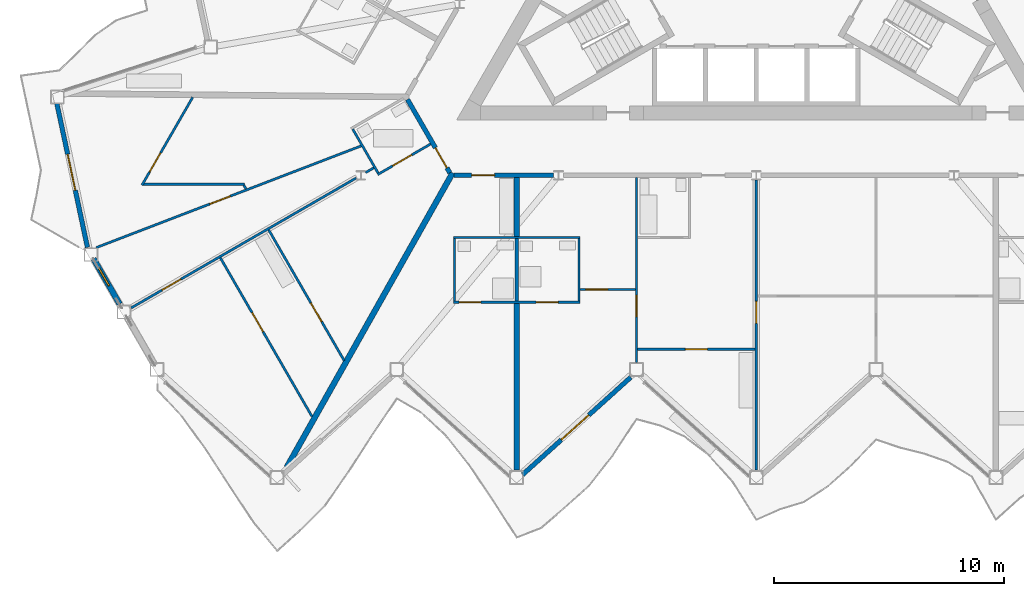
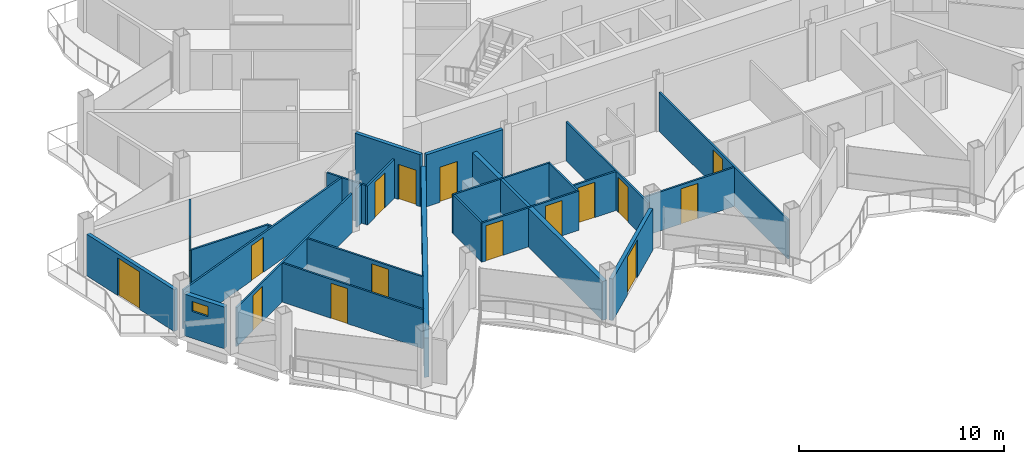
# One storey, part 13 of 27: 27 walls, 16 doors, 1 window, 17 openings.
"""IFC4 building model written with IfcOpenShell, lengths in metres."""

from ifc_helpers import new_model, si_unit, direction, frame, frame_2d, origin, place, context, subcontext, project, spatial, rectangle, extrude, material, layer, layer_set, type_object, element, fill, save


model = new_model("IFC4")

# Units and contexts
model_context = context("Model", 3, precision=1e-05, world=origin(), true_north=direction((0.0, 1.0)))
body_context = subcontext(model_context, "Body", "Model", "MODEL_VIEW")
ifc_project = project(units=[si_unit("LENGTHUNIT", "METRE"), si_unit("AREAUNIT", "SQUARE_METRE"), si_unit("VOLUMEUNIT", "CUBIC_METRE"), si_unit("PLANEANGLEUNIT", "RADIAN"), si_unit("MASSUNIT", "GRAM", prefix="KILO")], contexts=[model_context])

# Site, building, storey
site_placement = place(None, origin())
site = spatial("IfcSite", under=ifc_project, at=site_placement, CompositionType="ELEMENT")
building_placement = place(site_placement, origin())
building = spatial("IfcBuilding", under=site, at=building_placement, Name="Cormorant Prow Tower", CompositionType="ELEMENT")
storey_placement = place(building_placement, frame((0.0, 0.0, 332.39990234375)))
storey = spatial("IfcBuildingStorey", under=building, at=storey_placement, Name="L74", CompositionType="ELEMENT", Elevation=332.39990234375)

# Wall, opening, door
ifc_material_1 = material(Name="Gypsum board corridor wall")
ifc_layer_1 = layer(ifc_material_1, 0.199951171875)
ifc_layer_set_1 = layer_set([ifc_layer_1], Name="Gypsum board corridor wall")
wall_type_1 = type_object("IfcWallType", Name="Corridor wall 200", PredefinedType="PARTITIONING", material=ifc_layer_set_1)
wall_1_placement = place(storey_placement, frame((-13.10595703125, -9.905517578125, 0.0), z_axis=(0.0, 0.0, 1.0), x_axis=(1.0, 0.0, 0.0)))
wall_1 = element("IfcWall", 1, at=wall_1_placement, inside=storey, type_object=wall_type_1, Name="Corridor wall", PredefinedType="PARTITIONING", context=body_context, shape_type="SweptSolid", body=[
    extrude(rectangle(XDim=4.31982421875, YDim=0.199951171875, at=frame_2d((2.159912109375, 0.0))), origin(), (0.0, 0.0, 1.0), 3.10009765625),
])
opening_1_placement = place(wall_1_placement, frame((0.75341796875, 0.0, 0.0)))
opening_1 = element("IfcOpeningElement", 2, at=opening_1_placement, cuts=wall_1, Name="Opening L74-F01", PredefinedType="OPENING", context=body_context, shape_type="SweptSolid", body=[
    extrude(rectangle(XDim=1.0, YDim=2.10009765625, at=frame_2d((0.5, 1.050048828125))), frame((0.0, 0.10986328125, 0.0), z_axis=(0.0, -1.0, 0.0), x_axis=(1.0, 0.0, 0.0)), (0.0, 0.0, 1.0), 0.219970703125),
])
ifc_material_2 = material(Name="Timber door leaf", Category="wood")
door_type_1 = type_object("IfcDoorType", Name="Flat or room entrance door 1000x2100", OperationType="NOTDEFINED", PredefinedType="DOOR", material=ifc_material_2)
door_1_placement = place(opening_1_placement, origin())
door_1 = element("IfcDoor", 3, at=door_1_placement, inside=storey, type_object=door_type_1, Name="Studio living, kitchen and sleeping room door", OperationType="SINGLE_SWING_LEFT", OverallHeight=2.10009765625, OverallWidth=1.0, PredefinedType="DOOR", context=body_context, shape_type="SweptSolid", body=[
    extrude(rectangle(XDim=1.0, YDim=2.10009765625, at=frame_2d((0.5, 1.050048828125))), frame((0.0, 0.02490234375, 0.0), z_axis=(0.0, -1.0, 0.0), x_axis=(1.0, 0.0, 0.0)), (0.0, 0.0, 1.0), 0.050048828125),
])
fill(opening_1, door_1)

wall_2_placement = place(storey_placement, frame((-15.13134765625, -6.61376953125, 0.0), z_axis=(0.0, 0.0, 1.0), x_axis=(0.499967746641, -0.866044024469, 0.0)))
wall_2 = element("IfcWall", 4, at=wall_2_placement, inside=storey, type_object=wall_type_1, Name="Corridor wall", PredefinedType="PARTITIONING", context=body_context, shape_type="SweptSolid", body=[
    extrude(rectangle(XDim=3.676025390625, YDim=0.199951171875, at=frame_2d((1.837890625, 0.0))), origin(), (0.0, 0.0, 1.0), 3.10009765625),
])
opening_2_placement = place(wall_2_placement, frame((2.426025390625, 0.0, 0.0)))
opening_2 = element("IfcOpeningElement", 5, at=opening_2_placement, cuts=wall_2, Name="Opening L74-F58", PredefinedType="OPENING", context=body_context, shape_type="SweptSolid", body=[
    extrude(rectangle(XDim=1.0, YDim=2.10009765625, at=frame_2d((0.5, 1.050048828125))), frame((0.0, 0.10986328125, 0.0), z_axis=(0.0, -1.0, 0.0), x_axis=(1.0, 0.0, 0.0)), (0.0, 0.0, 1.0), 0.219970703125),
])
door_2_placement = place(opening_2_placement, origin())
door_2 = element("IfcDoor", 6, at=door_2_placement, inside=storey, type_object=door_type_1, Name="Living room door", OperationType="SINGLE_SWING_RIGHT", OverallHeight=2.10009765625, OverallWidth=1.0, PredefinedType="DOOR", context=body_context, shape_type="SweptSolid", body=[
    extrude(rectangle(XDim=1.0, YDim=2.10009765625, at=frame_2d((0.5, 1.050048828125))), frame((0.0, 0.02490234375, 0.0), z_axis=(0.0, -1.0, 0.0), x_axis=(1.0, 0.0, 0.0)), (0.0, 0.0, 1.0), 0.050048828125),
])
fill(opening_2, door_2)

ifc_material_3 = material(Name="Gypsum board partition")
ifc_layer_2 = layer(ifc_material_3, 0.10009765625)
ifc_layer_set_2 = layer_set([ifc_layer_2], Name="Gypsum board partition")
wall_type_2 = type_object("IfcWallType", Name="Internal partition 100", PredefinedType="PARTITIONING", material=ifc_layer_set_2)
wall_3_placement = place(storey_placement, frame((0.0, -22.697998046875, 0.0), z_axis=(0.0, 0.0, 1.0), x_axis=(0.0, 1.0, 0.0)))
wall_3 = element("IfcWall", 7, at=wall_3_placement, inside=storey, type_object=wall_type_2, Name="Internal partition", PredefinedType="PARTITIONING", context=body_context, shape_type="SweptSolid", body=[
    extrude(rectangle(XDim=12.584716796875, YDim=0.10009765625, at=frame_2d((6.29248046875, 0.0))), origin(), (0.0, 0.0, 1.0), 2.330078125),
])
opening_3_placement = place(wall_3_placement, frame((6.369140625, 0.0, 0.0)))
opening_3 = element("IfcOpeningElement", 8, at=opening_3_placement, cuts=wall_3, Name="Opening L74-F08", PredefinedType="OPENING", context=body_context, shape_type="SweptSolid", body=[
    extrude(rectangle(XDim=0.949951171875, YDim=2.10009765625, at=frame_2d((0.47509765625, 1.050048828125))), frame((0.0, 0.06005859375, 0.0), z_axis=(0.0, -1.0, 0.0), x_axis=(1.0, 0.0, 0.0)), (0.0, 0.0, 1.0), 0.1201171875),
])
ifc_material_4 = material(Name="Timber door leaf", Category="wood")
door_type_2 = type_object("IfcDoorType", Name="Bathroom door 950x2100", OperationType="NOTDEFINED", PredefinedType="DOOR", material=ifc_material_4)
door_3_placement = place(opening_3_placement, origin())
door_3 = element("IfcDoor", 9, at=door_3_placement, inside=storey, type_object=door_type_2, Name="Living room door", OperationType="SINGLE_SWING_RIGHT", OverallHeight=2.10009765625, OverallWidth=0.949951171875, PredefinedType="DOOR", context=body_context, shape_type="SweptSolid", body=[
    extrude(rectangle(XDim=0.949951171875, YDim=2.10009765625, at=frame_2d((0.47509765625, 1.050048828125))), frame((0.0, 0.02490234375, 0.0), z_axis=(0.0, -1.0, 0.0), x_axis=(1.0, 0.0, 0.0)), (0.0, 0.0, 1.0), 0.050048828125),
])
fill(opening_3, door_3)

wall_4_placement = place(storey_placement, frame((-28.630615234375, -13.039306640625, 0.0), z_axis=(0.0, 0.0, 1.0), x_axis=(0.933581130309, 0.358366116048, 0.0)))
wall_4 = element("IfcWall", 10, at=wall_4_placement, inside=storey, type_object=wall_type_2, Name="Internal partition", PredefinedType="PARTITIONING", context=body_context, shape_type="SweptSolid", body=[
    extrude(rectangle(XDim=12.3056640625, YDim=0.10009765625, at=frame_2d((6.15283203125, 0.0))), origin(), (0.0, 0.0, 1.0), 2.330078125),
])
opening_4_placement = place(wall_4_placement, frame((5.275634765625, 0.0, 0.0)))
opening_4 = element("IfcOpeningElement", 11, at=opening_4_placement, cuts=wall_4, Name="Opening L74-F63", PredefinedType="OPENING", context=body_context, shape_type="SweptSolid", body=[
    extrude(rectangle(XDim=0.949951171875, YDim=2.10009765625, at=frame_2d((0.47509765625, 1.050048828125))), frame((0.0, 0.06005859375, 0.0), z_axis=(0.0, -1.0, 0.0), x_axis=(1.0, 0.0, 0.0)), (0.0, 0.0, 1.0), 0.1201171875),
])
door_4_placement = place(opening_4_placement, origin())
door_4 = element("IfcDoor", 12, at=door_4_placement, inside=storey, type_object=door_type_2, Name="Bedroom door", OperationType="SINGLE_SWING_RIGHT", OverallHeight=2.10009765625, OverallWidth=0.949951171875, PredefinedType="DOOR", context=body_context, shape_type="SweptSolid", body=[
    extrude(rectangle(XDim=0.949951171875, YDim=2.10009765625, at=frame_2d((0.47509765625, 1.050048828125))), frame((0.0, 0.02490234375, 0.0), z_axis=(0.0, -1.0, 0.0), x_axis=(1.0, 0.0, 0.0)), (0.0, 0.0, 1.0), 0.050048828125),
])
fill(opening_4, door_4)

wall_5_placement = place(storey_placement, frame((-27.122314453125, -15.6591796875, 0.0), z_axis=(0.0, 0.0, 1.0), x_axis=(0.866021046153, 0.500007547564, 0.0)))
wall_5 = element("IfcWall", 13, at=wall_5_placement, inside=storey, type_object=wall_type_2, Name="Internal partition", PredefinedType="PARTITIONING", context=body_context, shape_type="SweptSolid", body=[
    extrude(rectangle(XDim=11.267333984375, YDim=0.10009765625, at=frame_2d((5.6337890625, 0.0))), origin(), (0.0, 0.0, 1.0), 2.330078125),
])
opening_5_placement = place(wall_5_placement, frame((1.55224609375, 0.0, 0.0)))
opening_5 = element("IfcOpeningElement", 14, at=opening_5_placement, cuts=wall_5, Name="Opening L74-F62", PredefinedType="OPENING", context=body_context, shape_type="SweptSolid", body=[
    extrude(rectangle(XDim=0.949951171875, YDim=2.10009765625, at=frame_2d((0.47509765625, 1.050048828125))), frame((0.0, 0.06005859375, 0.0), z_axis=(0.0, -1.0, 0.0), x_axis=(1.0, 0.0, 0.0)), (0.0, 0.0, 1.0), 0.1201171875),
])
door_5_placement = place(opening_5_placement, origin())
door_5 = element("IfcDoor", 15, at=door_5_placement, inside=storey, type_object=door_type_2, Name="Dining room door", OperationType="SINGLE_SWING_RIGHT", OverallHeight=2.10009765625, OverallWidth=0.949951171875, PredefinedType="DOOR", context=body_context, shape_type="SweptSolid", body=[
    extrude(rectangle(XDim=0.949951171875, YDim=2.10009765625, at=frame_2d((0.47509765625, 1.050048828125))), frame((0.0, 0.02490234375, 0.0), z_axis=(0.0, -1.0, 0.0), x_axis=(1.0, 0.0, 0.0)), (0.0, 0.0, 1.0), 0.050048828125),
])
fill(opening_5, door_5)

wall_6_placement = place(storey_placement, frame((-5.1962890625, -18.016845703125, 0.0), z_axis=(0.0, 0.0, 1.0), x_axis=(0.0, 1.0, 0.0)))
wall_6 = element("IfcWall", 16, at=wall_6_placement, inside=storey, type_object=wall_type_2, Name="Internal partition", PredefinedType="PARTITIONING", context=body_context, shape_type="SweptSolid", body=[
    extrude(rectangle(XDim=8.01123046875, YDim=0.10009765625, at=frame_2d((4.005615234375, 0.0))), origin(), (0.0, 0.0, 1.0), 2.330078125),
])
opening_6_placement = place(wall_6_placement, frame((1.966064453125, 0.0, 0.0)))
opening_6 = element("IfcOpeningElement", 17, at=opening_6_placement, cuts=wall_6, Name="Opening L74-F06", PredefinedType="OPENING", context=body_context, shape_type="SweptSolid", body=[
    extrude(rectangle(XDim=0.949951171875, YDim=2.10009765625, at=frame_2d((0.47509765625, 1.050048828125))), frame((0.0, 0.06005859375, 0.0), z_axis=(0.0, -1.0, 0.0), x_axis=(1.0, 0.0, 0.0)), (0.0, 0.0, 1.0), 0.1201171875),
])
door_6_placement = place(opening_6_placement, origin())
door_6 = element("IfcDoor", 18, at=door_6_placement, inside=storey, type_object=door_type_2, Name="Living room door", OperationType="SINGLE_SWING_RIGHT", OverallHeight=2.10009765625, OverallWidth=0.949951171875, PredefinedType="DOOR", context=body_context, shape_type="SweptSolid", body=[
    extrude(rectangle(XDim=0.949951171875, YDim=2.10009765625, at=frame_2d((0.47509765625, 1.050048828125))), frame((0.0, 0.02490234375, 0.0), z_axis=(0.0, -1.0, 0.0), x_axis=(1.0, 0.0, 0.0)), (0.0, 0.0, 1.0), 0.050048828125),
])
fill(opening_6, door_6)

wall_7_placement = place(storey_placement, frame((-23.2509765625, -13.481689453125, 0.0), z_axis=(0.0, 0.0, 1.0), x_axis=(0.500017325895, -0.866015400443, 0.0)))
wall_7 = element("IfcWall", 19, at=wall_7_placement, inside=storey, type_object=wall_type_2, Name="Internal partition", PredefinedType="PARTITIONING", context=body_context, shape_type="SweptSolid", body=[
    extrude(rectangle(XDim=7.955322265625, YDim=0.10009765625, at=frame_2d((3.9775390625, 0.0))), origin(), (0.0, 0.0, 1.0), 2.330078125),
])
opening_7_placement = place(wall_7_placement, frame((2.751953125, 0.0, 0.0)))
opening_7 = element("IfcOpeningElement", 20, at=opening_7_placement, cuts=wall_7, Name="Opening L74-F61", PredefinedType="OPENING", context=body_context, shape_type="SweptSolid", body=[
    extrude(rectangle(XDim=0.949951171875, YDim=2.10009765625, at=frame_2d((0.47509765625, 1.050048828125))), frame((0.0, 0.06005859375, 0.0), z_axis=(0.0, -1.0, 0.0), x_axis=(1.0, 0.0, 0.0)), (0.0, 0.0, 1.0), 0.1201171875),
])
door_7_placement = place(opening_7_placement, origin())
door_7 = element("IfcDoor", 21, at=door_7_placement, inside=storey, type_object=door_type_2, Name="Kitchen door", OperationType="SINGLE_SWING_RIGHT", OverallHeight=2.10009765625, OverallWidth=0.949951171875, PredefinedType="DOOR", context=body_context, shape_type="SweptSolid", body=[
    extrude(rectangle(XDim=0.949951171875, YDim=2.10009765625, at=frame_2d((0.47509765625, 1.050048828125))), frame((0.0, 0.02490234375, 0.0), z_axis=(0.0, -1.0, 0.0), x_axis=(1.0, 0.0, 0.0)), (0.0, 0.0, 1.0), 0.050048828125),
])
fill(opening_7, door_7)

wall_8_placement = place(storey_placement, frame((-21.153564453125, -12.270751953125, 0.0), z_axis=(0.0, 0.0, 1.0), x_axis=(0.500011451804, -0.866018791981, 0.0)))
wall_8 = element("IfcWall", 22, at=wall_8_placement, inside=storey, type_object=wall_type_2, Name="Internal partition", PredefinedType="PARTITIONING", context=body_context, shape_type="SweptSolid", body=[
    extrude(rectangle(XDim=6.556884765625, YDim=0.10009765625, at=frame_2d((3.2783203125, 0.0))), origin(), (0.0, 0.0, 1.0), 2.330078125),
])
opening_8_placement = place(wall_8_placement, frame((3.65478515625, 0.0, 0.0)))
opening_8 = element("IfcOpeningElement", 23, at=opening_8_placement, cuts=wall_8, Name="Opening L74-F60", PredefinedType="OPENING", context=body_context, shape_type="SweptSolid", body=[
    extrude(rectangle(XDim=0.949951171875, YDim=2.10009765625, at=frame_2d((0.47509765625, 1.050048828125))), frame((0.0, 0.06005859375, 0.0), z_axis=(0.0, -1.0, 0.0), x_axis=(1.0, 0.0, 0.0)), (0.0, 0.0, 1.0), 0.1201171875),
])
door_8_placement = place(opening_8_placement, origin())
door_8 = element("IfcDoor", 24, at=door_8_placement, inside=storey, type_object=door_type_2, Name="Living room door", OperationType="SINGLE_SWING_RIGHT", OverallHeight=2.10009765625, OverallWidth=0.949951171875, PredefinedType="DOOR", context=body_context, shape_type="SweptSolid", body=[
    extrude(rectangle(XDim=0.949951171875, YDim=2.10009765625, at=frame_2d((0.47509765625, 1.050048828125))), frame((0.0, 0.02490234375, 0.0), z_axis=(0.0, -1.0, 0.0), x_axis=(1.0, 0.0, 0.0)), (0.0, 0.0, 1.0), 0.050048828125),
])
fill(opening_8, door_8)

# Wall
wall_9_placement = place(storey_placement, frame((-13.142578125, -12.605712890625, 0.0), z_axis=(0.0, 0.0, 1.0), x_axis=(1.0, 0.0, 0.0)))
element("IfcWall", 25, at=wall_9_placement, inside=storey, type_object=wall_type_2, Name="Internal partition", PredefinedType="PARTITIONING", context=body_context, shape_type="SweptSolid", body=[
    extrude(rectangle(XDim=5.5, YDim=0.10009765625, at=frame_2d((2.75, 0.0))), origin(), (0.0, 0.0, 1.0), 2.330078125),
])

# Wall, openings, doors
wall_10_placement = place(storey_placement, frame((-13.142578125, -15.405517578125, 0.0), z_axis=(0.0, 0.0, 1.0), x_axis=(1.0, 0.0, 0.0)))
wall_10 = element("IfcWall", 26, at=wall_10_placement, inside=storey, type_object=wall_type_2, Name="Internal partition", PredefinedType="PARTITIONING", context=body_context, shape_type="SweptSolid", body=[
    extrude(rectangle(XDim=5.5, YDim=0.10009765625, at=frame_2d((2.75, 0.0))), origin(), (0.0, 0.0, 1.0), 2.330078125),
])
opening_9_placement = place(wall_10_placement, frame((0.25, 0.0, 0.0)))
opening_9 = element("IfcOpeningElement", 27, at=opening_9_placement, cuts=wall_10, Name="Opening L74-F02", PredefinedType="OPENING", context=body_context, shape_type="SweptSolid", body=[
    extrude(rectangle(XDim=0.949951171875, YDim=2.10009765625, at=frame_2d((0.47509765625, 1.050048828125))), frame((0.0, 0.06005859375, 0.0), z_axis=(0.0, -1.0, 0.0), x_axis=(1.0, 0.0, 0.0)), (0.0, 0.0, 1.0), 0.1201171875),
])
opening_10_placement = place(wall_10_placement, frame((3.59130859375, 0.0, 0.0)))
opening_10 = element("IfcOpeningElement", 28, at=opening_10_placement, cuts=wall_10, Name="Opening L74-F12", PredefinedType="OPENING", context=body_context, shape_type="SweptSolid", body=[
    extrude(rectangle(XDim=0.949951171875, YDim=2.10009765625, at=frame_2d((0.47509765625, 1.050048828125))), frame((0.0, 0.06005859375, 0.0), z_axis=(0.0, -1.0, 0.0), x_axis=(1.0, 0.0, 0.0)), (0.0, 0.0, 1.0), 0.1201171875),
])
door_9_placement = place(opening_9_placement, origin())
door_9 = element("IfcDoor", 29, at=door_9_placement, inside=storey, type_object=door_type_2, Name="Studio living, kitchen and sleeping room door", OperationType="SINGLE_SWING_LEFT", OverallHeight=2.10009765625, OverallWidth=0.949951171875, PredefinedType="DOOR", context=body_context, shape_type="SweptSolid", body=[
    extrude(rectangle(XDim=0.949951171875, YDim=2.10009765625, at=frame_2d((0.47509765625, 1.050048828125))), frame((0.0, 0.02490234375, 0.0), z_axis=(0.0, -1.0, 0.0), x_axis=(1.0, 0.0, 0.0)), (0.0, 0.0, 1.0), 0.050048828125),
])
fill(opening_9, door_9)
door_10_placement = place(opening_10_placement, origin())
door_10 = element("IfcDoor", 30, at=door_10_placement, inside=storey, type_object=door_type_2, Name="Bedroom door", OperationType="SINGLE_SWING_LEFT", OverallHeight=2.10009765625, OverallWidth=0.949951171875, PredefinedType="DOOR", context=body_context, shape_type="SweptSolid", body=[
    extrude(rectangle(XDim=0.949951171875, YDim=2.10009765625, at=frame_2d((0.47509765625, 1.050048828125))), frame((0.0, 0.02490234375, 0.0), z_axis=(0.0, -1.0, 0.0), x_axis=(1.0, 0.0, 0.0)), (0.0, 0.0, 1.0), 0.050048828125),
])
fill(opening_10, door_10)

# Wall, opening, door
wall_11_placement = place(storey_placement, frame((-5.146240234375, -17.453125, 0.0), z_axis=(0.0, 0.0, 1.0), x_axis=(1.0, 0.0, 0.0)))
wall_11 = element("IfcWall", 31, at=wall_11_placement, inside=storey, type_object=wall_type_2, Name="Internal partition", PredefinedType="PARTITIONING", context=body_context, shape_type="SweptSolid", body=[
    extrude(rectangle(XDim=5.09619140625, YDim=0.10009765625, at=frame_2d((2.548095703125, 0.0))), origin(), (0.0, 0.0, 1.0), 2.330078125),
])
opening_11_placement = place(wall_11_placement, frame((2.0732421875, 0.0, 0.0)))
opening_11 = element("IfcOpeningElement", 32, at=opening_11_placement, cuts=wall_11, Name="Opening L74-F05", PredefinedType="OPENING", context=body_context, shape_type="SweptSolid", body=[
    extrude(rectangle(XDim=0.949951171875, YDim=2.10009765625, at=frame_2d((0.47509765625, 1.050048828125))), frame((0.0, 0.06005859375, 0.0), z_axis=(0.0, -1.0, 0.0), x_axis=(1.0, 0.0, 0.0)), (0.0, 0.0, 1.0), 0.1201171875),
])
door_11_placement = place(opening_11_placement, origin())
door_11 = element("IfcDoor", 33, at=door_11_placement, inside=storey, type_object=door_type_2, Name="Living room door", OperationType="SINGLE_SWING_RIGHT", OverallHeight=2.10009765625, OverallWidth=0.949951171875, PredefinedType="DOOR", context=body_context, shape_type="SweptSolid", body=[
    extrude(rectangle(XDim=0.949951171875, YDim=2.10009765625, at=frame_2d((0.47509765625, 1.050048828125))), frame((0.0, 0.02490234375, 0.0), z_axis=(0.0, -1.0, 0.0), x_axis=(1.0, 0.0, 0.0)), (0.0, 0.0, 1.0), 0.050048828125),
])
fill(opening_11, door_11)

wall_12_placement = place(storey_placement, frame((-26.650146484375, -10.330810546875, 0.0), z_axis=(0.0, 0.0, 1.0), x_axis=(0.499992938033, 0.866029480975, 0.0)))
wall_12 = element("IfcWall", 34, at=wall_12_placement, inside=storey, type_object=wall_type_2, Name="Internal partition", PredefinedType="PARTITIONING", context=body_context, shape_type="SweptSolid", body=[
    extrude(rectangle(XDim=4.4013671875, YDim=0.10009765625, at=frame_2d((2.20068359375, 0.0))), origin(), (0.0, 0.0, 1.0), 2.330078125),
])
opening_12_placement = place(wall_12_placement, frame((0.656982421875, 0.0, 0.0)))
opening_12 = element("IfcOpeningElement", 35, at=opening_12_placement, cuts=wall_12, Name="Opening L74-F64", PredefinedType="OPENING", context=body_context, shape_type="SweptSolid", body=[
    extrude(rectangle(XDim=0.949951171875, YDim=2.10009765625, at=frame_2d((0.47509765625, 1.050048828125))), frame((0.0, 0.06005859375, 0.0), z_axis=(0.0, -1.0, 0.0), x_axis=(1.0, 0.0, 0.0)), (0.0, 0.0, 1.0), 0.1201171875),
])
door_12_placement = place(opening_12_placement, origin())
door_12 = element("IfcDoor", 36, at=door_12_placement, inside=storey, type_object=door_type_2, Name="Bedroom door", OperationType="SINGLE_SWING_LEFT", OverallHeight=2.10009765625, OverallWidth=0.949951171875, PredefinedType="DOOR", context=body_context, shape_type="SweptSolid", body=[
    extrude(rectangle(XDim=0.949951171875, YDim=2.10009765625, at=frame_2d((0.47509765625, 1.050048828125))), frame((0.0, 0.02490234375, 0.0), z_axis=(0.0, -1.0, 0.0), x_axis=(1.0, 0.0, 0.0)), (0.0, 0.0, 1.0), 0.050048828125),
])
fill(opening_12, door_12)

# Walls
wall_13_placement = place(storey_placement, frame((-26.5751953125, -10.287353515625, 0.0), z_axis=(0.0, 0.0, 1.0), x_axis=(1.0, 0.0, 0.0)))
element("IfcWall", 37, at=wall_13_placement, inside=storey, type_object=wall_type_2, Name="Internal partition", PredefinedType="PARTITIONING", context=body_context, shape_type="SweptSolid", body=[
    extrude(rectangle(XDim=4.366943359375, YDim=0.10009765625, at=frame_2d((2.18359375, 0.0))), origin(), (0.0, 0.0, 1.0), 2.330078125),
])
for number, where, z_axis, x_axis, name in (
    (38, (-13.092529296875, -15.355712890625, 0.0), (0.0, 0.0, 1.0), (0.0, 1.0, 0.0), "Internal partition"),
    (39, (-7.6923828125, -15.355712890625, 0.0), (0.0, 0.0, 1.0), (0.0, 1.0, 0.0), "Internal partition"),
):
    element("IfcWall", number, at=place(storey_placement, frame(where, z_axis=z_axis, x_axis=x_axis)), inside=storey, type_object=wall_type_2, Name=name, PredefinedType="PARTITIONING", context=body_context, shape_type="SweptSolid", body=[
        extrude(rectangle(XDim=2.7001953125, YDim=0.10009765625, at=frame_2d((1.35009765625, 0.0))), origin(), (0.0, 0.0, 1.0), 2.330078125),
    ])

# Wall, opening, door
wall_14_placement = place(storey_placement, frame((-16.425537109375, -9.872314453125, 0.0), z_axis=(0.0, 0.0, 1.0), x_axis=(0.866029095148, 0.499993606316, 0.0)))
wall_14 = element("IfcWall", 40, at=wall_14_placement, inside=storey, type_object=wall_type_2, Name="Internal partition", PredefinedType="PARTITIONING", context=body_context, shape_type="SweptSolid", body=[
    extrude(rectangle(XDim=2.64990234375, YDim=0.10009765625, at=frame_2d((1.324951171875, 0.0))), origin(), (0.0, 0.0, 1.0), 2.330078125),
])
opening_13_placement = place(wall_14_placement, frame((0.75, 0.0, 0.0)))
opening_13 = element("IfcOpeningElement", 41, at=opening_13_placement, cuts=wall_14, Name="Opening L74-F59", PredefinedType="OPENING", context=body_context, shape_type="SweptSolid", body=[
    extrude(rectangle(XDim=0.949951171875, YDim=2.10009765625, at=frame_2d((0.47509765625, 1.050048828125))), frame((0.0, 0.06005859375, 0.0), z_axis=(0.0, -1.0, 0.0), x_axis=(1.0, 0.0, 0.0)), (0.0, 0.0, 1.0), 0.1201171875),
])
door_13_placement = place(opening_13_placement, origin())
door_13 = element("IfcDoor", 42, at=door_13_placement, inside=storey, type_object=door_type_2, Name="Living room door", OperationType="SINGLE_SWING_LEFT", OverallHeight=2.10009765625, OverallWidth=0.949951171875, PredefinedType="DOOR", context=body_context, shape_type="SweptSolid", body=[
    extrude(rectangle(XDim=0.949951171875, YDim=2.10009765625, at=frame_2d((0.47509765625, 1.050048828125))), frame((0.0, 0.02490234375, 0.0), z_axis=(0.0, -1.0, 0.0), x_axis=(1.0, 0.0, 0.0)), (0.0, 0.0, 1.0), 0.050048828125),
])
fill(opening_13, door_13)

wall_15_placement = place(storey_placement, frame((-7.642578125, -14.860595703125, 0.0), z_axis=(0.0, 0.0, 1.0), x_axis=(1.0, 0.0, 0.0)))
wall_15 = element("IfcWall", 43, at=wall_15_placement, inside=storey, type_object=wall_type_2, Name="Internal partition", PredefinedType="PARTITIONING", context=body_context, shape_type="SweptSolid", body=[
    extrude(rectangle(XDim=2.396240234375, YDim=0.10009765625, at=frame_2d((1.1982421875, 0.0))), origin(), (0.0, 0.0, 1.0), 2.330078125),
])
opening_14_placement = place(wall_15_placement, frame((0.25, 0.0, 0.0)))
opening_14 = element("IfcOpeningElement", 44, at=opening_14_placement, cuts=wall_15, Name="Opening L74-F07", PredefinedType="OPENING", context=body_context, shape_type="SweptSolid", body=[
    extrude(rectangle(XDim=0.949951171875, YDim=2.10009765625, at=frame_2d((0.47509765625, 1.050048828125))), frame((0.0, 0.06005859375, 0.0), z_axis=(0.0, -1.0, 0.0), x_axis=(1.0, 0.0, 0.0)), (0.0, 0.0, 1.0), 0.1201171875),
])
door_14_placement = place(opening_14_placement, origin())
door_14 = element("IfcDoor", 45, at=door_14_placement, inside=storey, type_object=door_type_2, Name="Bedroom door", OperationType="SINGLE_SWING_LEFT", OverallHeight=2.10009765625, OverallWidth=0.949951171875, PredefinedType="DOOR", context=body_context, shape_type="SweptSolid", body=[
    extrude(rectangle(XDim=0.949951171875, YDim=2.10009765625, at=frame_2d((0.47509765625, 1.050048828125))), frame((0.0, 0.02490234375, 0.0), z_axis=(0.0, -1.0, 0.0), x_axis=(1.0, 0.0, 0.0)), (0.0, 0.0, 1.0), 0.050048828125),
])
fill(opening_14, door_14)

# Walls
wall_16_placement = place(storey_placement, frame((-17.507080078125, -7.898681640625, 0.0), z_axis=(0.0, 0.0, 1.0), x_axis=(0.499946605688, -0.86605622881, 0.0)))
element("IfcWall", 46, at=wall_16_placement, inside=storey, type_object=wall_type_2, Name="Internal partition", PredefinedType="PARTITIONING", context=body_context, shape_type="SweptSolid", body=[
    extrude(rectangle(XDim=2.199951171875, YDim=0.10009765625, at=frame_2d((1.10009765625, 0.0))), origin(), (0.0, 0.0, 1.0), 2.330078125),
])
wall_17_placement = place(storey_placement, frame((-16.94921875, -9.78564453125, 0.0), z_axis=(0.0, 0.0, 1.0), x_axis=(0.866036909293, 0.499980071345, 0.0)))
element("IfcWall", 47, at=wall_17_placement, inside=storey, type_object=wall_type_2, Name="Internal partition", PredefinedType="PARTITIONING", context=body_context, shape_type="SweptSolid", body=[
    extrude(rectangle(XDim=0.41015625, YDim=0.10009765625, at=frame_2d((0.205078125, 0.0))), origin(), (0.0, 0.0, 1.0), 2.330078125),
])
wall_18_placement = place(storey_placement, frame((-22.233154296875, -10.330810546875, 0.0), z_axis=(0.0, 0.0, 1.0), x_axis=(0.500169931485, -0.865927271564, 0.0)))
element("IfcWall", 48, at=wall_18_placement, inside=storey, type_object=wall_type_2, Name="Internal partition", PredefinedType="PARTITIONING", context=body_context, shape_type="SweptSolid", body=[
    extrude(rectangle(XDim=0.18896484375, YDim=0.10009765625, at=frame_2d((0.094482421875, 0.0))), origin(), (0.0, 0.0, 1.0), 2.330078125),
])
ifc_material_5 = material(Name="Acoustic gypsum party wall")
ifc_layer_3 = layer(ifc_material_5, 0.25)
ifc_layer_set_3 = layer_set([ifc_layer_3], Name="Acoustic gypsum party wall")
wall_type_3 = type_object("IfcWallType", Name="Suite party wall 250", PredefinedType="PARTITIONING", material=ifc_layer_set_3)
wall_19_placement = place(storey_placement, frame((-20.37646484375, -22.581787109375, 0.0), z_axis=(0.0, 0.0, 1.0), x_axis=(0.491057132664, 0.871127368678, 0.0)))
element("IfcWall", 49, at=wall_19_placement, inside=storey, type_object=wall_type_3, Name="Suite party wall", PredefinedType="PARTITIONING", context=body_context, shape_type="SweptSolid", body=[
    extrude(rectangle(XDim=14.676513671875, YDim=0.25, at=frame_2d((7.33837890625, 0.0))), origin(), (0.0, 0.0, 1.0), 2.330078125),
])
wall_20_placement = place(storey_placement, frame((-10.392578125, -22.697998046875, 0.0), z_axis=(0.0, 0.0, 1.0), x_axis=(0.0, 1.0, 0.0)))
element("IfcWall", 50, at=wall_20_placement, inside=storey, type_object=wall_type_3, Name="Suite party wall", PredefinedType="PARTITIONING", context=body_context, shape_type="SweptSolid", body=[
    extrude(rectangle(XDim=7.242431640625, YDim=0.25, at=frame_2d((3.62109375, 0.0))), origin(), (0.0, 0.0, 1.0), 2.330078125),
])
wall_21_placement = place(storey_placement, frame((-10.392578125, -12.5556640625, 0.0), z_axis=(0.0, 0.0, 1.0), x_axis=(0.0, 1.0, 0.0)))
element("IfcWall", 51, at=wall_21_placement, inside=storey, type_object=wall_type_3, Name="Suite party wall", PredefinedType="PARTITIONING", context=body_context, shape_type="SweptSolid", body=[
    extrude(rectangle(XDim=2.550048828125, YDim=0.25, at=frame_2d((1.27490234375, 0.0))), origin(), (0.0, 0.0, 1.0), 2.330078125),
])

# Wall, opening, window
ifc_material_6 = material(Name="Terracotta", Category="masonry")
ifc_layer_4 = layer(ifc_material_6, 0.25)
ifc_layer_set_4 = layer_set([ifc_layer_4], Name="Terracotta")
wall_type_4 = type_object("IfcWallType", Name="Terracotta bay wall 250", PredefinedType="SOLIDWALL", material=ifc_layer_set_4)
wall_22_placement = place(storey_placement, frame((-28.754150390625, -13.52490234375, 0.0), z_axis=(0.0, 0.0, 1.0), x_axis=(0.49996174997, -0.866047486323, 0.0)))
wall_22 = element("IfcWall", 52, at=wall_22_placement, inside=storey, type_object=wall_type_4, Name="Terracotta bay wall WSW00", PredefinedType="SOLIDWALL", context=body_context, shape_type="SweptSolid", body=[
    extrude(rectangle(XDim=2.266845703125, YDim=0.25, at=frame_2d((1.13330078125, 0.0))), origin(), (0.0, 0.0, 1.0), 2.488037109375),
])
opening_15_placement = place(wall_22_placement, frame((0.449951171875, 0.0, 1.60009765625)))
opening_15 = element("IfcOpeningElement", 53, at=opening_15_placement, cuts=wall_22, Name="Opening WN7", PredefinedType="OPENING", context=body_context, shape_type="SweptSolid", body=[
    extrude(rectangle(XDim=0.89990234375, YDim=0.60009765625, at=frame_2d((0.449951171875, 0.300048828125))), frame((0.0, 0.135009765625, 0.0), z_axis=(0.0, -1.0, 0.0), x_axis=(1.0, 0.0, 0.0)), (0.0, 0.0, 1.0), 0.27001953125),
])
ifc_material_7 = material(Name="Aluminium 6063-T6", Category="aluminium")
window_type = type_object("IfcWindowType", Name="Corner bay window 900x600", PartitioningType="SINGLE_PANEL", PredefinedType="WINDOW", material=ifc_material_7)
window_placement = place(opening_15_placement, origin())
window = element("IfcWindow", 54, at=window_placement, inside=storey, type_object=window_type, Name="Corner bay window WSW00", OverallHeight=0.60009765625, OverallWidth=0.89990234375, PartitioningType="SINGLE_PANEL", PredefinedType="WINDOW", context=body_context, shape_type="SweptSolid", body=[
    extrude(rectangle(XDim=0.89990234375, YDim=0.60009765625, at=frame_2d((0.449951171875, 0.300048828125))), frame((0.0, 0.030029296875, 0.0), z_axis=(0.0, -1.0, 0.0), x_axis=(1.0, 0.0, 0.0)), (0.0, 0.0, 1.0), 0.06005859375),
])
fill(opening_15, window)

# Wall, opening, door
ifc_material_8 = material(Name="Terracotta", Category="masonry")
ifc_layer_5 = layer(ifc_material_8, 0.199951171875)
ifc_layer_set_5 = layer_set([ifc_layer_5], Name="Terracotta")
wall_type_5 = type_object("IfcWallType", Name="Terracotta jamb wall 200", PredefinedType="SOLIDWALL", material=ifc_layer_set_5)
wall_23_placement = place(storey_placement, frame((-10.136962890625, -22.891845703125, 0.0), z_axis=(0.0, 0.0, 1.0), x_axis=(0.743147981531, 0.669127101189, 0.0)))
wall_23 = element("IfcWall", 55, at=wall_23_placement, inside=storey, type_object=wall_type_5, Name="Terracotta jamb wall S03", PredefinedType="SOLIDWALL", context=body_context, shape_type="SweptSolid", body=[
    extrude(rectangle(XDim=6.31298828125, YDim=0.199951171875, at=frame_2d((3.156494140625, 0.0))), origin(), (0.0, 0.0, 1.0), 2.488037109375),
])
opening_16_placement = place(wall_23_placement, frame((2.26220703125, 0.0, 0.0)))
opening_16 = element("IfcOpeningElement", 56, at=opening_16_placement, cuts=wall_23, Name="Opening ED74.02", PredefinedType="OPENING", context=body_context, shape_type="SweptSolid", body=[
    extrude(rectangle(XDim=1.60009765625, YDim=2.25, at=frame_2d((0.800048828125, 1.125))), frame((0.0, 0.10986328125, 0.0), z_axis=(0.0, -1.0, 0.0), x_axis=(1.0, 0.0, 0.0)), (0.0, 0.0, 1.0), 0.219970703125),
])
ifc_material_9 = material(Name="Aluminium 6063-T6", Category="aluminium")
door_type_3 = type_object("IfcDoorType", Name="Balcony door 1600x2250", OperationType="DOUBLE_DOOR_SINGLE_SWING", PredefinedType="DOOR", material=ifc_material_9)
door_15_placement = place(opening_16_placement, origin())
door_15 = element("IfcDoor", 57, at=door_15_placement, inside=storey, type_object=door_type_3, Name="Balcony door S03 ED74.02", OperationType="DOUBLE_DOOR_SINGLE_SWING", OverallHeight=2.25, OverallWidth=1.60009765625, PredefinedType="DOOR", context=body_context, shape_type="SweptSolid", body=[
    extrude(rectangle(XDim=1.60009765625, YDim=2.25, at=frame_2d((0.800048828125, 1.125))), frame((0.0, 0.02490234375, 0.0), z_axis=(0.0, -1.0, 0.0), x_axis=(1.0, 0.0, 0.0)), (0.0, 0.0, 1.0), 0.050048828125),
])
fill(opening_16, door_15)

wall_24_placement = place(storey_placement, frame((-30.34521484375, -6.77587890625, 0.0), z_axis=(0.0, 0.0, 1.0), x_axis=(0.207897099812, -0.978150702034, 0.0)))
wall_24 = element("IfcWall", 58, at=wall_24_placement, inside=storey, type_object=wall_type_5, Name="Terracotta jamb wall WNW09", PredefinedType="SOLIDWALL", context=body_context, shape_type="SweptSolid", body=[
    extrude(rectangle(XDim=6.396484375, YDim=0.199951171875, at=frame_2d((3.1982421875, 0.0))), origin(), (0.0, 0.0, 1.0), 2.488037109375),
])
opening_17_placement = place(wall_24_placement, frame((2.26220703125, 0.0, 0.0)))
opening_17 = element("IfcOpeningElement", 59, at=opening_17_placement, cuts=wall_24, Name="Opening ED74.15", PredefinedType="OPENING", context=body_context, shape_type="SweptSolid", body=[
    extrude(rectangle(XDim=1.60009765625, YDim=2.25, at=frame_2d((0.800048828125, 1.125))), frame((0.0, 0.10986328125, 0.0), z_axis=(0.0, -1.0, 0.0), x_axis=(1.0, 0.0, 0.0)), (0.0, 0.0, 1.0), 0.219970703125),
])
door_16_placement = place(opening_17_placement, origin())
door_16 = element("IfcDoor", 60, at=door_16_placement, inside=storey, type_object=door_type_3, Name="Balcony door WNW09 ED74.15", OperationType="DOUBLE_DOOR_SINGLE_SWING", OverallHeight=2.25, OverallWidth=1.60009765625, PredefinedType="DOOR", context=body_context, shape_type="SweptSolid", body=[
    extrude(rectangle(XDim=1.60009765625, YDim=2.25, at=frame_2d((0.800048828125, 1.125))), frame((0.0, 0.02490234375, 0.0), z_axis=(0.0, -1.0, 0.0), x_axis=(1.0, 0.0, 0.0)), (0.0, 0.0, 1.0), 0.050048828125),
])
fill(opening_17, door_16)

# Wall
ifc_material_10 = material(Name="Plasterboard wet wall with pipe chase")
ifc_layer_6 = layer(ifc_material_10, 0.14990234375)
ifc_layer_set_6 = layer_set([ifc_layer_6], Name="Plasterboard wet wall with pipe chase")
wall_type_6 = type_object("IfcWallType", Name="Wet wall 150", PredefinedType="PLUMBINGWALL", material=ifc_layer_set_6)
wall_25_placement = place(storey_placement, frame((-10.392578125, -15.355712890625, 0.0), z_axis=(0.0, 0.0, 1.0), x_axis=(0.0, 1.0, 0.0)))
element("IfcWall", 61, at=wall_25_placement, inside=storey, type_object=wall_type_6, Name="Wet wall", PredefinedType="PLUMBINGWALL", context=body_context, shape_type="SweptSolid", body=[
    extrude(rectangle(XDim=2.7001953125, YDim=0.14990234375, at=frame_2d((1.35009765625, 0.0))), origin(), (0.0, 0.0, 1.0), 2.330078125),
])

save(model, "model.ifc")
